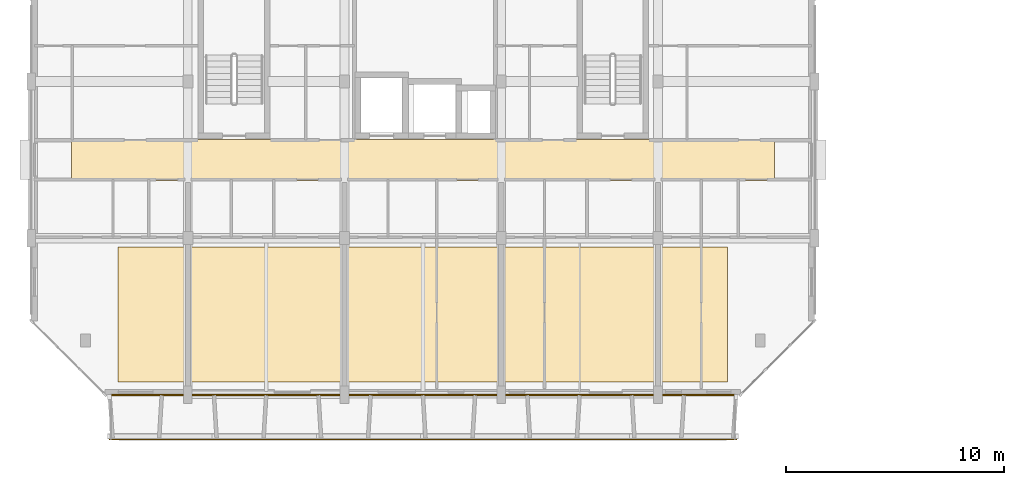
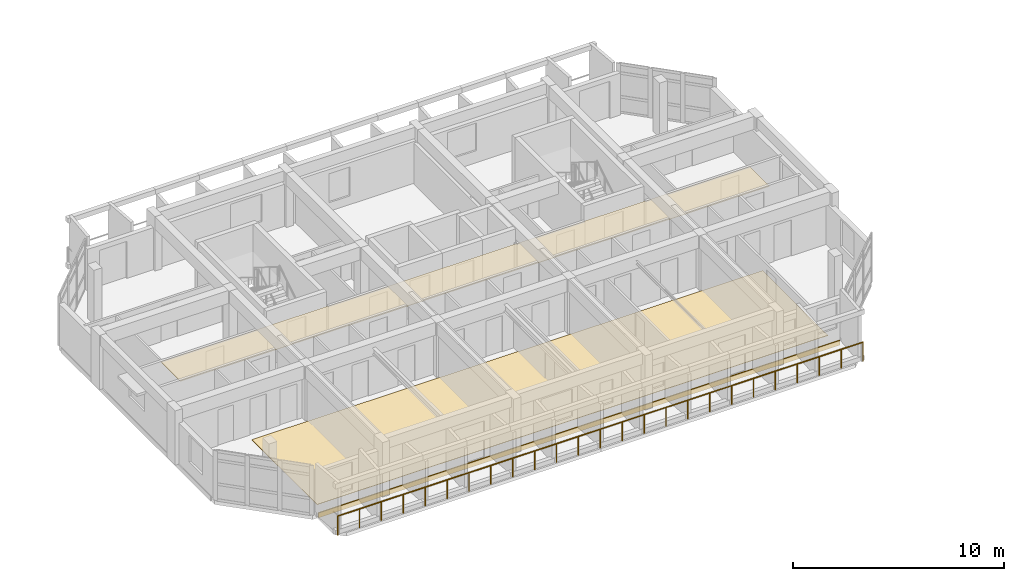
# One storey, part 36 of 45: 3 coverings, 1 railing.
"""IFC4 building model written with IfcOpenShell, lengths in metres."""

from ifc_helpers import new_model, si_unit, direction, frame, origin, origin_2d, place, context, subcontext, project, spatial, polyline, rectangle, circle, outline, extrude, material, layer, layer_set, type_object, element, save


model = new_model("IFC4")

# Units and contexts
model_context = context("Model", 3, precision=1e-05, world=origin(), true_north=direction((0.0, 1.0)))
body_context = subcontext(model_context, "Body", "Model", "MODEL_VIEW")
ifc_project = project(units=[si_unit("LENGTHUNIT", "METRE"), si_unit("AREAUNIT", "SQUARE_METRE"), si_unit("VOLUMEUNIT", "CUBIC_METRE"), si_unit("PLANEANGLEUNIT", "RADIAN"), si_unit("MASSUNIT", "GRAM", prefix="KILO")], contexts=[model_context])

# Site, building, storey
site_placement = place(None, origin())
site = spatial("IfcSite", under=ifc_project, at=site_placement, CompositionType="ELEMENT")
building_placement = place(site_placement, origin())
building = spatial("IfcBuilding", under=site, at=building_placement, Name="Ochrevale Crest", CompositionType="ELEMENT")
storey_placement = place(building_placement, frame((0.0, 0.0, 18.14990234375)))
storey = spatial("IfcBuildingStorey", under=building, at=storey_placement, Name="L05", CompositionType="ELEMENT", Elevation=18.14990234375)

# Coverings
ifc_material_1 = material(Name="Gypsum plasterboard", Category="gypsum")
ifc_layer_1 = layer(ifc_material_1, 0.02490234375)
ifc_layer_set_1 = layer_set([ifc_layer_1], Name="Gypsum plasterboard")
covering_type_1 = type_object("IfcCoveringType", Name="COV-CEIL-GYP", PredefinedType="CEILING", material=ifc_layer_set_1)
covering_1_placement = place(storey_placement, frame((0.0, 0.0, 2.280029296875)))
element("IfcCovering", 1, at=covering_1_placement, inside=storey, type_object=covering_type_1, Name="Block A L05 acoustic corridor ceiling", PredefinedType="CEILING", context=body_context, shape_type="SweptSolid", body=[
    extrude(outline(polyline([(1.85009765625, 24.260009765625), (34.14990234375, 24.260009765625), (34.14990234375, 26.139892578125), (1.85009765625, 26.139892578125), (1.85009765625, 24.260009765625)])), origin(), (0.0, 0.0, 1.0), 0.025146484375),
])
ifc_material_2 = material(Name="Glazed terracotta rainscreen tile", Category="masonry")
ifc_layer_2 = layer(ifc_material_2, 0.048095703125)
ifc_layer_set_2 = layer_set([ifc_layer_2], Name="Glazed terracotta rainscreen tile")
covering_type_2 = type_object("IfcCoveringType", Name="COV-CLAD-TER", PredefinedType="CLADDING", material=ifc_layer_set_2)
covering_2_placement = place(storey_placement, frame((18.0, 14.387451171875, -0.259765625), z_axis=(0.0, 0.0, 1.0), x_axis=(1.0, 0.0, 0.0)))
element("IfcCovering", 2, at=covering_2_placement, inside=storey, type_object=covering_type_2, Name="Block A L05 terracotta slab-edge spandrel cladding", PredefinedType="CLADDING", context=body_context, shape_type="SweptSolid", body=[
    extrude(rectangle(XDim=28.60009765625, YDim=0.06005859375, at=origin_2d()), origin(), (0.0, 0.0, 1.0), 0.280029296875),
])
ifc_material_3 = material(Name="Engineered spotted-gum hardwood flooring", Category="wood")
ifc_layer_3 = layer(ifc_material_3, 0.02001953125)
ifc_layer_set_3 = layer_set([ifc_layer_3], Name="Engineered spotted-gum hardwood flooring")
covering_type_3 = type_object("IfcCoveringType", Name="COV-FLR-TIM", PredefinedType="FLOORING", material=ifc_layer_set_3)
covering_3_placement = place(storey_placement, origin())
element("IfcCovering", 3, at=covering_3_placement, inside=storey, type_object=covering_type_3, Name="Block A L05 spotted-gum apartment flooring", PredefinedType="FLOORING", context=body_context, shape_type="SweptSolid", body=[
    extrude(outline(polyline([(4.0, 15.0), (32.0, 15.0), (32.0, 21.199951171875), (4.0, 21.199951171875), (4.0, 15.0)])), origin(), (0.0, 0.0, 1.0), 0.02001953125),
])

# Railing
ifc_material_4 = material(Name="Galvanised steel", Category="steel")
railing_type = type_object("IfcRailingType", Name="RL-BAL-1100", PredefinedType="BALUSTRADE", material=ifc_material_4)
railing_placement = place(storey_placement, frame((3.60009765625, 12.360107421875, 0.0)))
element("IfcRailing", 4, at=railing_placement, inside=storey, type_object=railing_type, Name="Block A L05 S balcony front balustrade", PredefinedType="BALUSTRADE", context=body_context, shape_type="SweptSolid", body=[
    extrude(circle(Radius=0.02392578125, at=origin_2d()), frame((0.0, 0.0, 1.0859375), z_axis=(1.0, 0.0, 0.0), x_axis=(0.0, 1.0, 0.0)), (0.0, 0.0, 1.0), 28.7998046875),
    extrude(circle(Radius=0.02099609375, at=origin_2d()), origin(), (0.0, 0.0, 1.0), 1.06201171875),
    extrude(circle(Radius=0.02099609375, at=origin_2d()), frame((1.199951171875, 0.0, 0.0)), (0.0, 0.0, 1.0), 1.06201171875),
    extrude(circle(Radius=0.02099609375, at=origin_2d()), frame((2.39990234375, 0.0, 0.0)), (0.0, 0.0, 1.0), 1.06201171875),
    extrude(circle(Radius=0.02099609375, at=origin_2d()), frame((3.60009765625, 0.0, 0.0)), (0.0, 0.0, 1.0), 1.06201171875),
    extrude(circle(Radius=0.02099609375, at=origin_2d()), frame((4.800048828125, 0.0, 0.0)), (0.0, 0.0, 1.0), 1.06201171875),
    extrude(circle(Radius=0.02099609375, at=origin_2d()), frame((6.0, 0.0, 0.0)), (0.0, 0.0, 1.0), 1.06201171875),
    extrude(circle(Radius=0.02099609375, at=origin_2d()), frame((7.199951171875, 0.0, 0.0)), (0.0, 0.0, 1.0), 1.06201171875),
    extrude(circle(Radius=0.02099609375, at=origin_2d()), frame((8.39990234375, 0.0, 0.0)), (0.0, 0.0, 1.0), 1.06201171875),
    extrude(circle(Radius=0.02099609375, at=origin_2d()), frame((9.599853515625, 0.0, 0.0)), (0.0, 0.0, 1.0), 1.06201171875),
    extrude(circle(Radius=0.02099609375, at=origin_2d()), frame((10.7998046875, 0.0, 0.0)), (0.0, 0.0, 1.0), 1.06201171875),
    extrude(circle(Radius=0.02099609375, at=origin_2d()), frame((12.0, 0.0, 0.0)), (0.0, 0.0, 1.0), 1.06201171875),
    extrude(circle(Radius=0.02099609375, at=origin_2d()), frame((13.199951171875, 0.0, 0.0)), (0.0, 0.0, 1.0), 1.06201171875),
    extrude(circle(Radius=0.02099609375, at=origin_2d()), frame((14.39990234375, 0.0, 0.0)), (0.0, 0.0, 1.0), 1.06201171875),
    extrude(circle(Radius=0.02099609375, at=origin_2d()), frame((15.599853515625, 0.0, 0.0)), (0.0, 0.0, 1.0), 1.06201171875),
    extrude(circle(Radius=0.02099609375, at=origin_2d()), frame((16.7998046875, 0.0, 0.0)), (0.0, 0.0, 1.0), 1.06201171875),
    extrude(circle(Radius=0.02099609375, at=origin_2d()), frame((18.0, 0.0, 0.0)), (0.0, 0.0, 1.0), 1.06201171875),
    extrude(circle(Radius=0.02099609375, at=origin_2d()), frame((19.199951171875, 0.0, 0.0)), (0.0, 0.0, 1.0), 1.06201171875),
    extrude(circle(Radius=0.02099609375, at=origin_2d()), frame((20.39990234375, 0.0, 0.0)), (0.0, 0.0, 1.0), 1.06201171875),
    extrude(circle(Radius=0.02099609375, at=origin_2d()), frame((21.599853515625, 0.0, 0.0)), (0.0, 0.0, 1.0), 1.06201171875),
    extrude(circle(Radius=0.02099609375, at=origin_2d()), frame((22.7998046875, 0.0, 0.0)), (0.0, 0.0, 1.0), 1.06201171875),
    extrude(circle(Radius=0.02099609375, at=origin_2d()), frame((23.999755859375, 0.0, 0.0)), (0.0, 0.0, 1.0), 1.06201171875),
    extrude(circle(Radius=0.02099609375, at=origin_2d()), frame((25.19970703125, 0.0, 0.0)), (0.0, 0.0, 1.0), 1.06201171875),
    extrude(circle(Radius=0.02099609375, at=origin_2d()), frame((26.39990234375, 0.0, 0.0)), (0.0, 0.0, 1.0), 1.06201171875),
    extrude(circle(Radius=0.02099609375, at=origin_2d()), frame((27.599853515625, 0.0, 0.0)), (0.0, 0.0, 1.0), 1.06201171875),
    extrude(circle(Radius=0.02099609375, at=origin_2d()), frame((28.7998046875, 0.0, 0.0)), (0.0, 0.0, 1.0), 1.06201171875),
])

save(model, "model.ifc")
